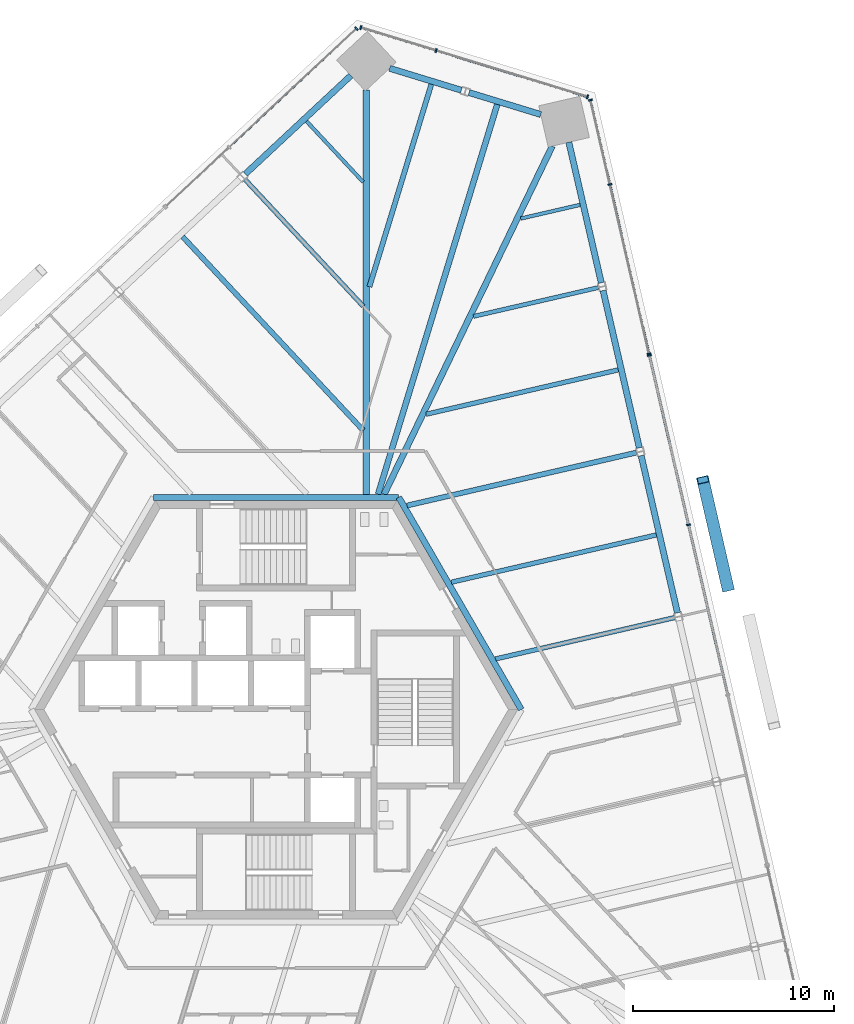
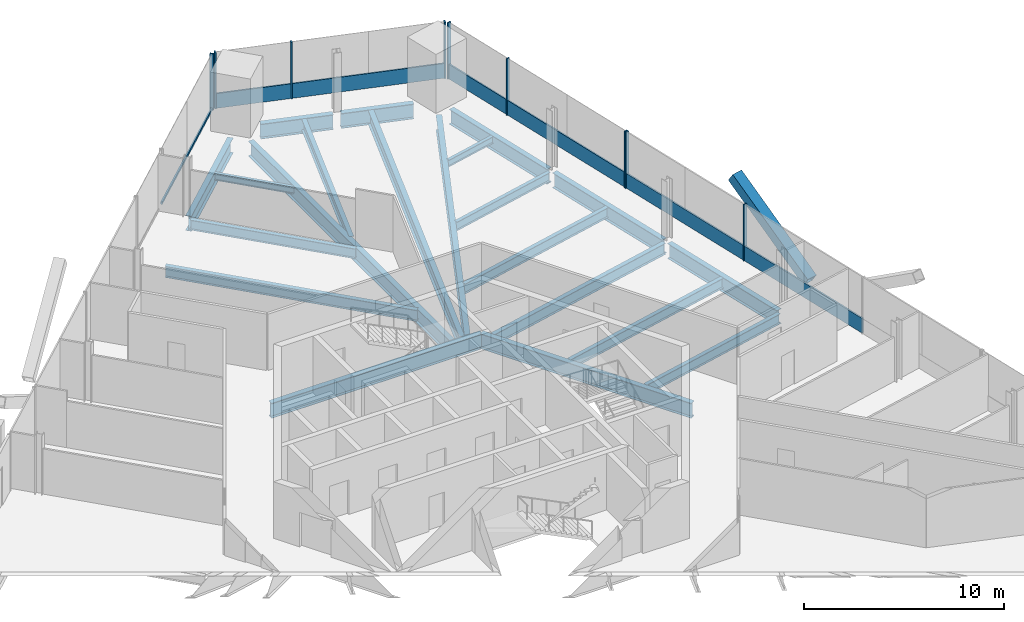
# One storey, part 9 of 20: 21 beams, 17 members, 4 elements without a shape of their own.
"""IFC4 building model written with IfcOpenShell, lengths in metres."""

from ifc_helpers import new_model, si_unit, direction, frame, origin, origin_2d, place, context, subcontext, project, spatial, rectangle, hollow_rectangle, i_section, extrude, source, transform, mapped, material, material_profile, profile_set, type_object, element, aggregate, save


model = new_model("IFC4")

# Units and contexts
model_context = context("Model", 3, precision=1e-05, world=origin(), true_north=direction((0.0, 1.0)))
body_context = subcontext(model_context, "Body", "Model", "MODEL_VIEW")
ifc_project = project(units=[si_unit("LENGTHUNIT", "METRE"), si_unit("AREAUNIT", "SQUARE_METRE"), si_unit("VOLUMEUNIT", "CUBIC_METRE"), si_unit("PLANEANGLEUNIT", "RADIAN"), si_unit("MASSUNIT", "GRAM", prefix="KILO")], contexts=[model_context])

# Site, building, storey
site_placement = place(None, origin())
site = spatial("IfcSite", under=ifc_project, at=site_placement, CompositionType="ELEMENT")
building_placement = place(site_placement, origin())
building = spatial("IfcBuilding", under=site, at=building_placement, Name="Triune Harvest Tower", CompositionType="ELEMENT")
storey_placement = place(building_placement, frame((0.0, 0.0, 116.300048828125)))
storey = spatial("IfcBuildingStorey", under=building, at=storey_placement, Name="L29", CompositionType="ELEMENT", Elevation=116.300048828125)

# Beams
ifc_material_1 = material(Name="Steel ASTM A992 Gr 50", Category="steel")
ifc_material_profile_1 = material_profile(ifc_material_1, i_section(OverallWidth=0.3046875, OverallDepth=0.914306640625, WebThickness=0.0166015625, FlangeThickness=0.02587890625, at=origin_2d()), Name="W36x160")
ifc_profile_set_1 = profile_set([ifc_material_profile_1], Name="Steel ASTM A992 Gr 50")
beam_type_1 = type_object("IfcBeamType", Name="CG-1 Core ring girder W36x160", PredefinedType="BEAM", material=ifc_profile_set_1)
shared_shape_1 = source(origin(), body_context, "Body", "SweptSolid", [
    extrude(i_section(OverallWidth=0.3046875, OverallDepth=0.914306640625, WebThickness=0.0166015625, FlangeThickness=0.02587890625, at=origin_2d()), origin(), (0.0, 0.0, 1.0), 12.176025390625),
])
beam_1_placement = place(storey_placement, frame((12.176025390625, 0.0, -0.6171875), z_axis=(-0.5000099932, 0.866019634131, 0.0), x_axis=(-0.866019634131, -0.5000099932, 0.0)))
element("IfcBeam", 1, at=beam_1_placement, inside=storey, type_object=beam_type_1, Name="beam/L29/CG1", PredefinedType="BEAM", context=body_context, shape_type="MappedRepresentation", body=[
    mapped(shared_shape_1, transform((0.0, 0.0, 0.0), scale=1.0)),
])
shared_shape_2 = source(origin(), body_context, "Body", "SweptSolid", [
    extrude(i_section(OverallWidth=0.3046875, OverallDepth=0.914306640625, WebThickness=0.0166015625, FlangeThickness=0.02587890625, at=origin_2d()), origin(), (0.0, 0.0, 1.0), 12.17578125),
])
beam_2_placement = place(storey_placement, frame((6.087890625, 10.544677734375, -0.6171875), z_axis=(-1.0, 0.0, 0.0), x_axis=(0.0, -1.0, 0.0)))
element("IfcBeam", 2, at=beam_2_placement, inside=storey, type_object=beam_type_1, Name="beam/L29/CG2", PredefinedType="BEAM", context=body_context, shape_type="MappedRepresentation", body=[
    mapped(shared_shape_2, transform((0.0, 0.0, 0.0), scale=1.0)),
])
ifc_material_2 = material(Name="Steel ASTM A992 Gr 50", Category="steel")
ifc_material_profile_2 = material_profile(ifc_material_2, i_section(OverallWidth=0.3046875, OverallDepth=0.914306640625, WebThickness=0.0166015625, FlangeThickness=0.02587890625, at=origin_2d()), Name="W36x160")
ifc_profile_set_2 = profile_set([ifc_material_profile_2], Name="Steel ASTM A992 Gr 50")
beam_type_2 = type_object("IfcBeamType", Name="SB-1 Spandrel beam W36x160", PredefinedType="SPANDREL", material=ifc_profile_set_2)
shared_shape_3 = source(origin(), body_context, "Body", "SweptSolid", [
    extrude(i_section(OverallWidth=0.3046875, OverallDepth=0.914306640625, WebThickness=0.0166015625, FlangeThickness=0.02587890625, at=origin_2d()), origin(), (0.0, 0.0, 1.0), 8.0185546875),
])
beam_3_placement = place(storey_placement, frame((18.04248046875, 13.00439453125, -0.6171875), z_axis=(-0.224915098534, 0.974378365139, 0.0), x_axis=(-0.974378365139, -0.224915098534, 0.0)))
element("IfcBeam", 3, at=beam_3_placement, inside=storey, type_object=beam_type_2, Name="beam/L29/SB5", PredefinedType="SPANDREL", context=body_context, shape_type="MappedRepresentation", body=[
    mapped(shared_shape_3, transform((0.0, 0.0, 0.0), scale=1.0)),
])
shared_shape_4 = source(origin(), body_context, "Body", "SweptSolid", [
    extrude(i_section(OverallWidth=0.3046875, OverallDepth=0.914306640625, WebThickness=0.0166015625, FlangeThickness=0.02587890625, at=origin_2d()), origin(), (0.0, 0.0, 1.0), 8.01806640625),
])
beam_4_placement = place(storey_placement, frame((19.935546875, 4.805908203125, -0.6171875), z_axis=(-0.224957352975, 0.97436861061, 0.0), x_axis=(-0.97436861061, -0.224957352975, 0.0)))
element("IfcBeam", 4, at=beam_4_placement, inside=storey, type_object=beam_type_2, Name="beam/L29/SB4", PredefinedType="SPANDREL", context=body_context, shape_type="MappedRepresentation", body=[
    mapped(shared_shape_4, transform((0.0, 0.0, 0.0), scale=1.0)),
])
shared_shape_5 = source(origin(), body_context, "Body", "SweptSolid", [
    extrude(i_section(OverallWidth=0.3046875, OverallDepth=0.914306640625, WebThickness=0.0166015625, FlangeThickness=0.02587890625, at=origin_2d()), origin(), (0.0, 0.0, 1.0), 7.16650390625),
])
for number, where, z_axis, x_axis, name in (
    (5, (16.14990234375, 21.203369140625, -0.6171875), (-0.224981420466, 0.974363053715, 0.0), (-0.974363053715, -0.224981420466, 0.0), "beam/L29/SB6"),
    (6, (3.709228515625, 31.49658203125, -0.6171875), (-0.731357675554, -0.681994098515, 0.0), (0.681994098515, -0.731357675554, 0.0), "beam/L29/SB9"),
):
    element("IfcBeam", number, at=place(storey_placement, frame(where, z_axis=z_axis, x_axis=x_axis)), inside=storey, type_object=beam_type_2, Name=name, PredefinedType="SPANDREL", context=body_context, shape_type="MappedRepresentation", body=[
        mapped(shared_shape_5, transform((0.0, 0.0, 0.0), scale=1.0)),
    ])
shared_shape_6 = source(origin(), body_context, "Body", "SweptSolid", [
    extrude(i_section(OverallWidth=0.3046875, OverallDepth=0.914306640625, WebThickness=0.0166015625, FlangeThickness=0.02587890625, at=origin_2d()), origin(), (0.0, 0.0, 1.0), 3.72607421875),
])
beam_5_placement = place(storey_placement, frame((13.14208984375, 29.563720703125, -0.6171875), z_axis=(-0.956307307825, 0.292363357829, 0.0), x_axis=(-0.292363357829, -0.956307307825, 0.0)))
element("IfcBeam", 7, at=beam_5_placement, inside=storey, type_object=beam_type_2, Name="beam/L29/SB7", PredefinedType="SPANDREL", context=body_context, shape_type="MappedRepresentation", body=[
    mapped(shared_shape_6, transform((0.0, 0.0, 0.0), scale=1.0)),
])
shared_shape_7 = source(origin(), body_context, "Body", "SweptSolid", [
    extrude(i_section(OverallWidth=0.3046875, OverallDepth=0.914306640625, WebThickness=0.0166015625, FlangeThickness=0.02587890625, at=origin_2d()), origin(), (0.0, 0.0, 1.0), 3.725830078125),
])
beam_6_placement = place(storey_placement, frame((9.19970703125, 30.768798828125, -0.6171875), z_axis=(-0.956301706638, 0.292381678431, 0.0), x_axis=(-0.292381678431, -0.956301706638, 0.0)))
element("IfcBeam", 8, at=beam_6_placement, inside=storey, type_object=beam_type_2, Name="beam/L29/SB8", PredefinedType="SPANDREL", context=body_context, shape_type="MappedRepresentation", body=[
    mapped(shared_shape_7, transform((0.0, 0.0, 0.0), scale=1.0)),
])
ifc_material_3 = material(Name="Steel ASTM A992 Gr 50", Category="steel")
ifc_material_profile_3 = material_profile(ifc_material_3, i_section(OverallWidth=0.307373046875, OverallDepth=0.922119140625, WebThickness=0.018310546875, FlangeThickness=0.030029296875, at=origin_2d()), Name="W36x182")
ifc_profile_set_3 = profile_set([ifc_material_profile_3], Name="Steel ASTM A992 Gr 50")
beam_type_3 = type_object("IfcBeamType", Name="HG-2 Hip girder W36x182", PredefinedType="BEAM", material=ifc_profile_set_3)
shared_shape_8 = source(origin(), body_context, "Body", "SweptSolid", [
    extrude(i_section(OverallWidth=0.307373046875, OverallDepth=0.922119140625, WebThickness=0.018310546875, FlangeThickness=0.030029296875, at=origin_2d()), origin(), (0.0, 0.0, 1.0), 19.2109375),
])
beam_7_placement = place(storey_placement, frame((13.7158203125, 27.996337890625, -0.62109375), z_axis=(-0.434869540736, -0.900493466129, 0.0), x_axis=(0.900493466129, -0.434869540736, 0.0)))
element("IfcBeam", 9, at=beam_7_placement, inside=storey, type_object=beam_type_3, Name="beam/L29/HG3", PredefinedType="BEAM", context=body_context, shape_type="MappedRepresentation", body=[
    mapped(shared_shape_8, transform((0.0, 0.0, 0.0), scale=1.0)),
])
shared_shape_9 = source(origin(), body_context, "Body", "SweptSolid", [
    extrude(i_section(OverallWidth=0.307373046875, OverallDepth=0.922119140625, WebThickness=0.018310546875, FlangeThickness=0.030029296875, at=origin_2d()), origin(), (0.0, 0.0, 1.0), 20.080078125),
])
beam_8_placement = place(storey_placement, frame((4.47705078125, 30.777099609375, -0.62109375), z_axis=(0.0, -1.0, 0.0), x_axis=(1.0, 0.0, 0.0)))
element("IfcBeam", 10, at=beam_8_placement, inside=storey, type_object=beam_type_3, Name="beam/L29/HG4", PredefinedType="BEAM", context=body_context, shape_type="MappedRepresentation", body=[
    mapped(shared_shape_9, transform((0.0, 0.0, 0.0), scale=1.0)),
])
ifc_material_4 = material(Name="Steel ASTM A992 Gr 50", Category="steel")
ifc_material_profile_4 = material_profile(ifc_material_4, i_section(OverallWidth=0.22900390625, OverallDepth=0.612060546875, WebThickness=0.011962890625, FlangeThickness=0.01953125, at=origin_2d()), Name="W24x84")
ifc_profile_set_4 = profile_set([ifc_material_profile_4], Name="Steel ASTM A992 Gr 50")
beam_type_4 = type_object("IfcBeamType", Name="JT-3 Floor joist W24x84", PredefinedType="JOIST", material=ifc_profile_set_4)
shared_shape_10 = source(origin(), body_context, "Body", "SweptSolid", [
    extrude(i_section(OverallWidth=0.22900390625, OverallDepth=0.612060546875, WebThickness=0.011962890625, FlangeThickness=0.01953125, at=origin_2d()), origin(), (0.0, 0.0, 1.0), 9.129150390625),
])
beam_9_placement = place(storey_placement, frame((19.79443359375, 4.56982421875, -0.466064453125), z_axis=(-0.974374065454, -0.22493372484, 0.0), x_axis=(0.22493372484, -0.974374065454, 0.0)))
element("IfcBeam", 11, at=beam_9_placement, inside=storey, type_object=beam_type_4, Name="beam/L29/JT6", PredefinedType="JOIST", context=body_context, shape_type="MappedRepresentation", body=[
    mapped(shared_shape_10, transform((0.0, 0.0, 0.0), scale=1.0)),
])
shared_shape_11 = source(origin(), body_context, "Body", "SweptSolid", [
    extrude(i_section(OverallWidth=0.22900390625, OverallDepth=0.612060546875, WebThickness=0.011962890625, FlangeThickness=0.01953125, at=origin_2d()), origin(), (0.0, 0.0, 1.0), 10.45361328125),
])
beam_10_placement = place(storey_placement, frame((18.88525390625, 8.677978515625, -0.466064453125), z_axis=(-0.974370329956, -0.224949905758, 0.0), x_axis=(0.224949905758, -0.974370329956, 0.0)))
element("IfcBeam", 12, at=beam_10_placement, inside=storey, type_object=beam_type_4, Name="beam/L29/JT7", PredefinedType="JOIST", context=body_context, shape_type="MappedRepresentation", body=[
    mapped(shared_shape_11, transform((0.0, 0.0, 0.0), scale=1.0)),
])
ifc_material_5 = material(Name="Steel ASTM A992 Gr 50", Category="steel")
ifc_material_profile_5 = material_profile(ifc_material_5, i_section(OverallWidth=0.253662109375, OverallDepth=0.683349609375, WebThickness=0.012451171875, FlangeThickness=0.01904296875, at=origin_2d()), Name="W27x94")
ifc_profile_set_5 = profile_set([ifc_material_profile_5], Name="Steel ASTM A992 Gr 50")
beam_type_5 = type_object("IfcBeamType", Name="JT-4 Floor joist W27x94", PredefinedType="JOIST", material=ifc_profile_set_5)
shared_shape_12 = source(origin(), body_context, "Body", "SweptSolid", [
    extrude(i_section(OverallWidth=0.253662109375, OverallDepth=0.683349609375, WebThickness=0.012451171875, FlangeThickness=0.01904296875, at=origin_2d()), origin(), (0.0, 0.0, 1.0), 11.701904296875),
])
beam_11_placement = place(storey_placement, frame((17.901611328125, 12.768798828125, -0.501708984375), z_axis=(-0.974365520252, -0.224970737974, 0.0), x_axis=(0.224970737974, -0.974365520252, 0.0)))
element("IfcBeam", 13, at=beam_11_placement, inside=storey, type_object=beam_type_5, Name="beam/L29/JT8", PredefinedType="JOIST", context=body_context, shape_type="MappedRepresentation", body=[
    mapped(shared_shape_12, transform((0.0, 0.0, 0.0), scale=1.0)),
])
shared_shape_13 = source(origin(), body_context, "Body", "SweptSolid", [
    extrude(i_section(OverallWidth=0.22900390625, OverallDepth=0.612060546875, WebThickness=0.011962890625, FlangeThickness=0.01953125, at=origin_2d()), origin(), (0.0, 0.0, 1.0), 9.790283203125),
])
beam_12_placement = place(storey_placement, frame((16.9921875, 16.876708984375, -0.466064453125), z_axis=(-0.974368495141, -0.224957853113, 0.0), x_axis=(0.224957853113, -0.974368495141, 0.0)))
element("IfcBeam", 14, at=beam_12_placement, inside=storey, type_object=beam_type_4, Name="beam/L29/JT9", PredefinedType="JOIST", context=body_context, shape_type="MappedRepresentation", body=[
    mapped(shared_shape_13, transform((0.0, 0.0, 0.0), scale=1.0)),
])
ifc_material_6 = material(Name="Steel ASTM A992 Gr 50", Category="steel")
ifc_material_profile_6 = material_profile(ifc_material_6, i_section(OverallWidth=0.2099609375, OverallDepth=0.535888671875, WebThickness=0.010986328125, FlangeThickness=0.017333984375, at=origin_2d()), Name="W21x68")
ifc_profile_set_6 = profile_set([ifc_material_profile_6], Name="Steel ASTM A992 Gr 50")
beam_type_6 = type_object("IfcBeamType", Name="JT-2 Floor joist W21x68", PredefinedType="JOIST", material=ifc_profile_set_6)
shared_shape_14 = source(origin(), body_context, "Body", "SweptSolid", [
    extrude(i_section(OverallWidth=0.2099609375, OverallDepth=0.535888671875, WebThickness=0.010986328125, FlangeThickness=0.017333984375, at=origin_2d()), origin(), (0.0, 0.0, 1.0), 6.372314453125),
])
beam_13_placement = place(storey_placement, frame((16.0087890625, 20.967529296875, -0.427978515625), z_axis=(-0.974365360565, -0.224971429586, 0.0), x_axis=(0.224971429586, -0.974365360565, 0.0)))
element("IfcBeam", 15, at=beam_13_placement, inside=storey, type_object=beam_type_6, Name="beam/L29/JT10", PredefinedType="JOIST", context=body_context, shape_type="MappedRepresentation", body=[
    mapped(shared_shape_14, transform((0.0, 0.0, 0.0), scale=1.0)),
])
ifc_material_7 = material(Name="Steel ASTM A992 Gr 50", Category="steel")
ifc_material_profile_7 = material_profile(ifc_material_7, i_section(OverallWidth=0.180908203125, OverallDepth=0.41650390625, WebThickness=0.010986328125, FlangeThickness=0.01806640625, at=origin_2d()), Name="W16x57")
ifc_profile_set_7 = profile_set([ifc_material_profile_7], Name="Steel ASTM A992 Gr 50")
beam_type_7 = type_object("IfcBeamType", Name="JT-1 Floor joist W16x57", PredefinedType="JOIST", material=ifc_profile_set_7)
shared_shape_15 = source(origin(), body_context, "Body", "SweptSolid", [
    extrude(i_section(OverallWidth=0.180908203125, OverallDepth=0.41650390625, WebThickness=0.010986328125, FlangeThickness=0.01806640625, at=origin_2d()), origin(), (0.0, 0.0, 1.0), 3.0302734375),
])
beam_14_placement = place(storey_placement, frame((15.099365234375, 25.075439453125, -0.368408203125), z_axis=(-0.974372182121, -0.224941882957, 0.0), x_axis=(0.224941882957, -0.974372182121, 0.0)))
element("IfcBeam", 16, at=beam_14_placement, inside=storey, type_object=beam_type_7, Name="beam/L29/JT11", PredefinedType="JOIST", context=body_context, shape_type="MappedRepresentation", body=[
    mapped(shared_shape_15, transform((0.0, 0.0, 0.0), scale=1.0)),
])
ifc_material_8 = material(Name="Steel ASTM A992 Gr 50", Category="steel")
ifc_material_profile_8 = material_profile(ifc_material_8, i_section(OverallWidth=0.2919921875, OverallDepth=0.8583984375, WebThickness=0.01708984375, FlangeThickness=0.031005859375, at=origin_2d()), Name="W33x169")
ifc_profile_set_8 = profile_set([ifc_material_profile_8], Name="Steel ASTM A992 Gr 50")
beam_type_8 = type_object("IfcBeamType", Name="JT-7 Floor joist W33x169", PredefinedType="JOIST", material=ifc_profile_set_8)
shared_shape_16 = source(origin(), body_context, "Body", "SweptSolid", [
    extrude(i_section(OverallWidth=0.2919921875, OverallDepth=0.8583984375, WebThickness=0.01708984375, FlangeThickness=0.031005859375, at=origin_2d()), origin(), (0.0, 0.0, 1.0), 20.252685546875),
])
beam_15_placement = place(storey_placement, frame((10.982177734375, 30.064697265625, -0.58935546875), z_axis=(-0.292364925189, -0.956306828648, 0.0), x_axis=(0.956306828648, -0.292364925189, 0.0)))
element("IfcBeam", 17, at=beam_15_placement, inside=storey, type_object=beam_type_8, Name="beam/L29/JT12", PredefinedType="JOIST", context=body_context, shape_type="MappedRepresentation", body=[
    mapped(shared_shape_16, transform((0.0, 0.0, 0.0), scale=1.0)),
])
shared_shape_17 = source(origin(), body_context, "Body", "SweptSolid", [
    extrude(i_section(OverallWidth=0.253662109375, OverallDepth=0.683349609375, WebThickness=0.012451171875, FlangeThickness=0.01904296875, at=origin_2d()), origin(), (0.0, 0.0, 1.0), 10.522705078125),
])
beam_16_placement = place(storey_placement, frame((7.707275390625, 31.065673828125, -0.501708984375), z_axis=(-0.292358820543, -0.956308694957, 0.0), x_axis=(0.956308694957, -0.292358820543, 0.0)))
element("IfcBeam", 18, at=beam_16_placement, inside=storey, type_object=beam_type_5, Name="beam/L29/JT13", PredefinedType="JOIST", context=body_context, shape_type="MappedRepresentation", body=[
    mapped(shared_shape_17, transform((0.0, 0.0, 0.0), scale=1.0)),
])
shared_shape_18 = source(origin(), body_context, "Body", "SweptSolid", [
    extrude(i_section(OverallWidth=0.180908203125, OverallDepth=0.41650390625, WebThickness=0.010986328125, FlangeThickness=0.01806640625, at=origin_2d()), origin(), (0.0, 0.0, 1.0), 4.134033203125),
])
beam_17_placement = place(storey_placement, frame((1.504150390625, 29.23193359375, -0.368408203125), z_axis=(0.681989931417, -0.731361561367, 0.0), x_axis=(0.731361561367, 0.681989931417, 0.0)))
element("IfcBeam", 19, at=beam_17_placement, inside=storey, type_object=beam_type_7, Name="beam/L29/JT14", PredefinedType="JOIST", context=body_context, shape_type="MappedRepresentation", body=[
    mapped(shared_shape_18, transform((0.0, 0.0, 0.0), scale=1.0)),
])
shared_shape_19 = source(origin(), body_context, "Body", "SweptSolid", [
    extrude(i_section(OverallWidth=0.22900390625, OverallDepth=0.612060546875, WebThickness=0.011962890625, FlangeThickness=0.01953125, at=origin_2d()), origin(), (0.0, 0.0, 1.0), 8.607666015625),
])
beam_18_placement = place(storey_placement, frame((-1.546875, 26.334716796875, -0.466064453125), z_axis=(0.681999854465, -0.731352308063, 0.0), x_axis=(0.731352308063, 0.681999854465, 0.0)))
element("IfcBeam", 20, at=beam_18_placement, inside=storey, type_object=beam_type_4, Name="beam/L29/JT15", PredefinedType="JOIST", context=body_context, shape_type="MappedRepresentation", body=[
    mapped(shared_shape_19, transform((0.0, 0.0, 0.0), scale=1.0)),
])
shared_shape_20 = source(origin(), body_context, "Body", "SweptSolid", [
    extrude(i_section(OverallWidth=0.253662109375, OverallDepth=0.683349609375, WebThickness=0.012451171875, FlangeThickness=0.01904296875, at=origin_2d()), origin(), (0.0, 0.0, 1.0), 13.157470703125),
])
beam_19_placement = place(storey_placement, frame((-4.64990234375, 23.493408203125, -0.501708984375), z_axis=(0.681997545037, -0.731354461642, 0.0), x_axis=(0.731354461642, 0.681997545037, 0.0)))
element("IfcBeam", 21, at=beam_19_placement, inside=storey, type_object=beam_type_5, Name="beam/L29/JT16", PredefinedType="JOIST", context=body_context, shape_type="MappedRepresentation", body=[
    mapped(shared_shape_20, transform((0.0, 0.0, 0.0), scale=1.0)),
])

# Member
ifc_material_9 = material(Name="Steel ASTM A572 Gr 50", Category="steel")
ifc_material_profile_9 = material_profile(ifc_material_9, hollow_rectangle(XDim=0.60009765625, YDim=0.60009765625, WallThickness=0.0400390625, at=origin_2d()), Name="Box 600x600x40")
ifc_profile_set_9 = profile_set([ifc_material_profile_9], Name="Steel ASTM A572 Gr 50")
member_type_1 = type_object("IfcMemberType", Name="BR-2 Brace Box 600x600x40", PredefinedType="BRACE", material=ifc_profile_set_9)
shared_shape_21 = source(origin(), body_context, "Body", "SweptSolid", [
    extrude(hollow_rectangle(XDim=0.60009765625, YDim=0.60009765625, WallThickness=0.0400390625, at=origin_2d()), origin(), (0.0, 0.0, 1.0), 6.56640625),
])
member_1_placement = place(storey_placement, frame((22.436279296875, 6.059326171875, 0.0), z_axis=(-0.188129134256, 0.814904024631, 0.54821424597), x_axis=(-0.974371711617, -0.224943921014, 0.0)))
element("IfcMember", 22, at=member_1_placement, inside=storey, type_object=member_type_1, Name="brace/B3-F1/d1/6", PredefinedType="BRACE", context=body_context, shape_type="MappedRepresentation", body=[
    mapped(shared_shape_21, transform((0.0, 0.0, 0.0), scale=1.0)),
])

# Curtain wall, members
ifc_material_10 = material(Name="Aluminium bronze anodised", Category="aluminium")
curtain_wall_type_1 = type_object("IfcCurtainWallType", Name="CW-7 Tower stick curtain wall with insulated spandrel infill", PredefinedType="NOTDEFINED", material=ifc_material_10)
curtain_wall_1_placement = place(storey_placement, origin())
curtain_wall_1 = element("IfcCurtainWall", 23, at=curtain_wall_1_placement, inside=storey, type_object=curtain_wall_type_1, Name="CW-7 B3-F1 L29 run 1001")
ifc_material_11 = material(Name="Aluminium bronze anodised", Category="aluminium")
ifc_material_profile_10 = material_profile(ifc_material_11, rectangle(XDim=0.199951171875, YDim=0.074951171875, at=origin_2d()), Name="MU-1 mullion 75 x 200")
ifc_profile_set_10 = profile_set([ifc_material_profile_10], Name="Aluminium bronze anodised")
member_type_2 = type_object("IfcMemberType", Name="MU-1 mullion 75 x 200", PredefinedType="MULLION", material=ifc_profile_set_10)
shared_shape_22 = source(origin(), body_context, "Body", "SweptSolid", [
    extrude(rectangle(XDim=0.199951171875, YDim=0.074951171875, at=origin_2d()), origin(), (0.0, 0.0, 1.0), 3.43994140625),
])
member_2_placement = place(storey_placement, frame((20.48388671875, 9.181396484375, 0.0), z_axis=(0.0, 0.0, 1.0), x_axis=(-0.974369954013, -0.22495153415, 0.0)))
member_2 = element("IfcMember", 24, at=member_2_placement, type_object=member_type_2, Name="CW-7 mullion B3-F1 1001.5", PredefinedType="MULLION", context=body_context, shape_type="MappedRepresentation", body=[
    mapped(shared_shape_22, transform((0.0, 0.0, 0.0), scale=1.0)),
])
member_3_placement = place(storey_placement, frame((18.54052734375, 17.599365234375, 0.0), z_axis=(0.0, 0.0, 1.0), x_axis=(-0.974369954013, -0.22495153415, 0.0)))
member_3 = element("IfcMember", 25, at=member_3_placement, type_object=member_type_2, Name="CW-7 mullion B3-F1 1001.7", PredefinedType="MULLION", context=body_context, shape_type="MappedRepresentation", body=[
    mapped(shared_shape_22, transform((0.0, 0.0, 0.0), scale=1.0)),
])

ifc_material_12 = material(Name="Aluminium bronze anodised", Category="aluminium")
curtain_wall_type_2 = type_object("IfcCurtainWallType", Name="CW-1 Tower stick curtain wall", PredefinedType="NOTDEFINED", material=ifc_material_12)
curtain_wall_2_placement = place(storey_placement, origin())
curtain_wall_2 = element("IfcCurtainWall", 26, at=curtain_wall_2_placement, inside=storey, type_object=curtain_wall_type_2, Name="CW-1 B3-F1 L29 run 2001")
member_4_placement = place(storey_placement, frame((18.523681640625, 17.67236328125, 0.0), z_axis=(0.0, 0.0, 1.0), x_axis=(-0.974370100513, -0.22495089959, 0.0)))
member_4 = element("IfcMember", 27, at=member_4_placement, type_object=member_type_2, Name="CW-1 mullion B3-F1 2001.1", PredefinedType="MULLION", context=body_context, shape_type="MappedRepresentation", body=[
    mapped(shared_shape_22, transform((0.0, 0.0, 0.0), scale=1.0)),
])
member_5_placement = place(storey_placement, frame((16.580078125, 26.090087890625, 0.0), z_axis=(0.0, 0.0, 1.0), x_axis=(-0.974370100513, -0.22495089959, 0.0)))
member_5 = element("IfcMember", 28, at=member_5_placement, type_object=member_type_2, Name="CW-1 mullion B3-F1 2001.3", PredefinedType="MULLION", context=body_context, shape_type="MappedRepresentation", body=[
    mapped(shared_shape_22, transform((0.0, 0.0, 0.0), scale=1.0)),
])
member_6_placement = place(storey_placement, frame((15.61279296875, 30.28076171875, 0.0), z_axis=(0.0, 0.0, 1.0), x_axis=(-0.974370100513, -0.22495089959, 0.0)))
member_6 = element("IfcMember", 29, at=member_6_placement, type_object=member_type_2, Name="CW-1 mullion B3-F1 2001.4", PredefinedType="MULLION", context=body_context, shape_type="MappedRepresentation", body=[
    mapped(shared_shape_22, transform((0.0, 0.0, 0.0), scale=1.0)),
])

curtain_wall_3_placement = place(storey_placement, origin())
curtain_wall_3 = element("IfcCurtainWall", 30, at=curtain_wall_3_placement, inside=storey, type_object=curtain_wall_type_2, Name="CW-1 B3-F2 L29 run 1")
member_7_placement = place(storey_placement, frame((15.462158203125, 30.4423828125, 0.0), z_axis=(0.0, 0.0, 1.0), x_axis=(-0.292376962095, -0.956303148607, 0.0)))
member_7 = element("IfcMember", 31, at=member_7_placement, type_object=member_type_2, Name="CW-1 mullion B3-F2 1.1", PredefinedType="MULLION", context=body_context, shape_type="MappedRepresentation", body=[
    mapped(shared_shape_22, transform((0.0, 0.0, 0.0), scale=1.0)),
])
member_8_placement = place(storey_placement, frame((7.945068359375, 32.740478515625, 0.0), z_axis=(0.0, 0.0, 1.0), x_axis=(-0.292376962095, -0.956303148607, 0.0)))
member_8 = element("IfcMember", 32, at=member_8_placement, type_object=member_type_2, Name="CW-1 mullion B3-F2 1.3", PredefinedType="MULLION", context=body_context, shape_type="MappedRepresentation", body=[
    mapped(shared_shape_22, transform((0.0, 0.0, 0.0), scale=1.0)),
])
member_9_placement = place(storey_placement, frame((4.20458984375, 33.884033203125, 0.0), z_axis=(0.0, 0.0, 1.0), x_axis=(-0.292376962095, -0.956303148607, 0.0)))
member_9 = element("IfcMember", 33, at=member_9_placement, type_object=member_type_2, Name="CW-1 mullion B3-F2 1.4", PredefinedType="MULLION", context=body_context, shape_type="MappedRepresentation", body=[
    mapped(shared_shape_22, transform((0.0, 0.0, 0.0), scale=1.0)),
])

# Curtain wall, member
ifc_material_13 = material(Name="Aluminium bronze anodised", Category="aluminium")
curtain_wall_type_3 = type_object("IfcCurtainWallType", Name="CW-6 Balcony window wall", PredefinedType="NOTDEFINED", material=ifc_material_13)
curtain_wall_4_placement = place(storey_placement, origin())
curtain_wall_4 = element("IfcCurtainWall", 34, at=curtain_wall_4_placement, inside=storey, type_object=curtain_wall_type_3, Name="CW-6 B3-F3 L29 run 1")
ifc_material_14 = material(Name="Aluminium bronze anodised", Category="aluminium")
ifc_material_profile_11 = material_profile(ifc_material_14, rectangle(XDim=0.199951171875, YDim=0.074951171875, at=origin_2d()), Name="MU-6 mullion 75 x 200")
ifc_profile_set_11 = profile_set([ifc_material_profile_11], Name="Aluminium bronze anodised")
member_type_3 = type_object("IfcMemberType", Name="MU-6 mullion 75 x 200", PredefinedType="MULLION", material=ifc_profile_set_11)
shared_shape_23 = source(origin(), body_context, "Body", "SweptSolid", [
    extrude(rectangle(XDim=0.199951171875, YDim=0.074951171875, at=origin_2d()), origin(), (0.0, 0.0, 1.0), 3.43994140625),
])
member_10_placement = place(storey_placement, frame((3.9892578125, 33.83447265625, 0.0), z_axis=(0.0, 0.0, 1.0), x_axis=(0.681996819127, -0.731355138562, 0.0)))
member_10 = element("IfcMember", 35, at=member_10_placement, type_object=member_type_3, Name="CW-6 mullion B3-F3 1.1", PredefinedType="MULLION", context=body_context, shape_type="MappedRepresentation", body=[
    mapped(shared_shape_23, transform((0.0, 0.0, 0.0), scale=1.0)),
])

# Member
ifc_material_15 = material(Name="Aluminium bronze anodised", Category="aluminium")
ifc_material_profile_12 = material_profile(ifc_material_15, rectangle(XDim=0.090087890625, YDim=0.89990234375, at=origin_2d()), Name="TR-1 transom 90 x 900")
ifc_profile_set_12 = profile_set([ifc_material_profile_12], Name="Aluminium bronze anodised")
member_type_4 = type_object("IfcMemberType", Name="TR-1 transom 90 x 900", PredefinedType="USERDEFINED", material=ifc_profile_set_12)
shared_shape_24 = source(origin(), body_context, "Body", "SweptSolid", [
    extrude(rectangle(XDim=0.090087890625, YDim=0.89990234375, at=origin_2d()), origin(), (0.0, 0.0, 1.0), 7.78564453125),
])
member_11_placement = place(storey_placement, frame((15.42626953125, 30.453125, 0.449951171875), z_axis=(-0.956300923205, 0.292384240817, 0.0), x_axis=(-0.292384240817, -0.956300923205, 0.0)))
member_11 = element("IfcMember", 36, at=member_11_placement, type_object=member_type_4, Name="CW-1 transom B3-F2 1.1", ObjectType="TRANSOM", PredefinedType="USERDEFINED", context=body_context, shape_type="MappedRepresentation", body=[
    mapped(shared_shape_24, transform((0.0, 0.0, 0.0), scale=1.0)),
])

shared_shape_25 = source(origin(), body_context, "Body", "SweptSolid", [
    extrude(rectangle(XDim=0.090087890625, YDim=0.89990234375, at=origin_2d()), origin(), (0.0, 0.0, 1.0), 3.83642578125),
])
member_12_placement = place(storey_placement, frame((7.9091796875, 32.75146484375, 0.449951171875), z_axis=(-0.956308580564, 0.292359194724, 0.0), x_axis=(-0.292359194724, -0.956308580564, 0.0)))
member_12 = element("IfcMember", 37, at=member_12_placement, type_object=member_type_4, Name="CW-1 transom B3-F2 1.2", ObjectType="TRANSOM", PredefinedType="USERDEFINED", context=body_context, shape_type="MappedRepresentation", body=[
    mapped(shared_shape_25, transform((0.0, 0.0, 0.0), scale=1.0)),
])

aggregate(curtain_wall_3, [member_7, member_8, member_9, member_11, member_12])

shared_shape_26 = source(origin(), body_context, "Body", "SweptSolid", [
    extrude(rectangle(XDim=0.090087890625, YDim=0.89990234375, at=origin_2d()), origin(), (0.0, 0.0, 1.0), 8.564208984375),
])
member_13_placement = place(storey_placement, frame((20.475341796875, 9.218017578125, 0.449951171875), z_axis=(-0.224949030659, 0.974370531988, 0.0), x_axis=(-0.974370531988, -0.224949030659, 0.0)))
member_13 = element("IfcMember", 38, at=member_13_placement, type_object=member_type_4, Name="CW-7 transom B3-F1 1001.3", ObjectType="TRANSOM", PredefinedType="USERDEFINED", context=body_context, shape_type="MappedRepresentation", body=[
    mapped(shared_shape_26, transform((0.0, 0.0, 0.0), scale=1.0)),
])

member_14_placement = place(storey_placement, frame((18.51513671875, 17.708984375, 0.449951171875), z_axis=(-0.224949030659, 0.974370531988, 0.0), x_axis=(-0.974370531988, -0.224949030659, 0.0)))
member_14 = element("IfcMember", 39, at=member_14_placement, type_object=member_type_4, Name="CW-1 transom B3-F1 2001.1", ObjectType="TRANSOM", PredefinedType="USERDEFINED", context=body_context, shape_type="MappedRepresentation", body=[
    mapped(shared_shape_26, transform((0.0, 0.0, 0.0), scale=1.0)),
])

ifc_material_16 = material(Name="Aluminium bronze anodised", Category="aluminium")
ifc_material_profile_13 = material_profile(ifc_material_16, rectangle(XDim=0.090087890625, YDim=0.14990234375, at=origin_2d()), Name="TR-6 transom 90 x 150")
ifc_profile_set_13 = profile_set([ifc_material_profile_13], Name="Aluminium bronze anodised")
member_type_5 = type_object("IfcMemberType", Name="TR-6 transom 90 x 150", PredefinedType="USERDEFINED", material=ifc_profile_set_13)
shared_shape_27 = source(origin(), body_context, "Body", "SweptSolid", [
    extrude(rectangle(XDim=0.090087890625, YDim=0.14990234375, at=origin_2d()), origin(), (0.0, 0.0, 1.0), 8.57177734375),
])
member_15_placement = place(storey_placement, frame((3.9619140625, 33.808837890625, 0.074951171875), z_axis=(-0.731355440198, -0.68199649566, 0.0), x_axis=(0.68199649566, -0.731355440198, 0.0)))
member_15 = element("IfcMember", 40, at=member_15_placement, type_object=member_type_5, Name="CW-6 transom B3-F3 1.1", ObjectType="TRANSOM", PredefinedType="USERDEFINED", context=body_context, shape_type="MappedRepresentation", body=[
    mapped(shared_shape_27, transform((0.0, 0.0, 0.0), scale=1.0)),
])

aggregate(curtain_wall_4, [member_10, member_15])

shared_shape_28 = source(origin(), body_context, "Body", "SweptSolid", [
    extrude(rectangle(XDim=0.090087890625, YDim=0.89990234375, at=origin_2d()), origin(), (0.0, 0.0, 1.0), 4.225830078125),
])
member_16_placement = place(storey_placement, frame((16.57177734375, 26.126708984375, 0.449951171875), z_axis=(-0.224973431044, 0.974364898446, 0.0), x_axis=(-0.974364898446, -0.224973431044, 0.0)))
member_16 = element("IfcMember", 41, at=member_16_placement, type_object=member_type_4, Name="CW-1 transom B3-F1 2001.2", ObjectType="TRANSOM", PredefinedType="USERDEFINED", context=body_context, shape_type="MappedRepresentation", body=[
    mapped(shared_shape_28, transform((0.0, 0.0, 0.0), scale=1.0)),
])

aggregate(curtain_wall_2, [member_4, member_5, member_6, member_14, member_16])

shared_shape_29 = source(origin(), body_context, "Body", "SweptSolid", [
    extrude(rectangle(XDim=0.090087890625, YDim=0.89990234375, at=origin_2d()), origin(), (0.0, 0.0, 1.0), 8.601806640625),
])
member_17_placement = place(storey_placement, frame((22.42724609375, 0.763671875, 0.449951171875), z_axis=(-0.224959003423, 0.974368229562, 0.0), x_axis=(-0.974368229562, -0.224959003423, 0.0)))
member_17 = element("IfcMember", 42, at=member_17_placement, type_object=member_type_4, Name="CW-7 transom B3-F1 1001.2", ObjectType="TRANSOM", PredefinedType="USERDEFINED", context=body_context, shape_type="MappedRepresentation", body=[
    mapped(shared_shape_29, transform((0.0, 0.0, 0.0), scale=1.0)),
])

aggregate(curtain_wall_1, [member_2, member_3, member_17, member_13])

save(model, "model.ifc")
